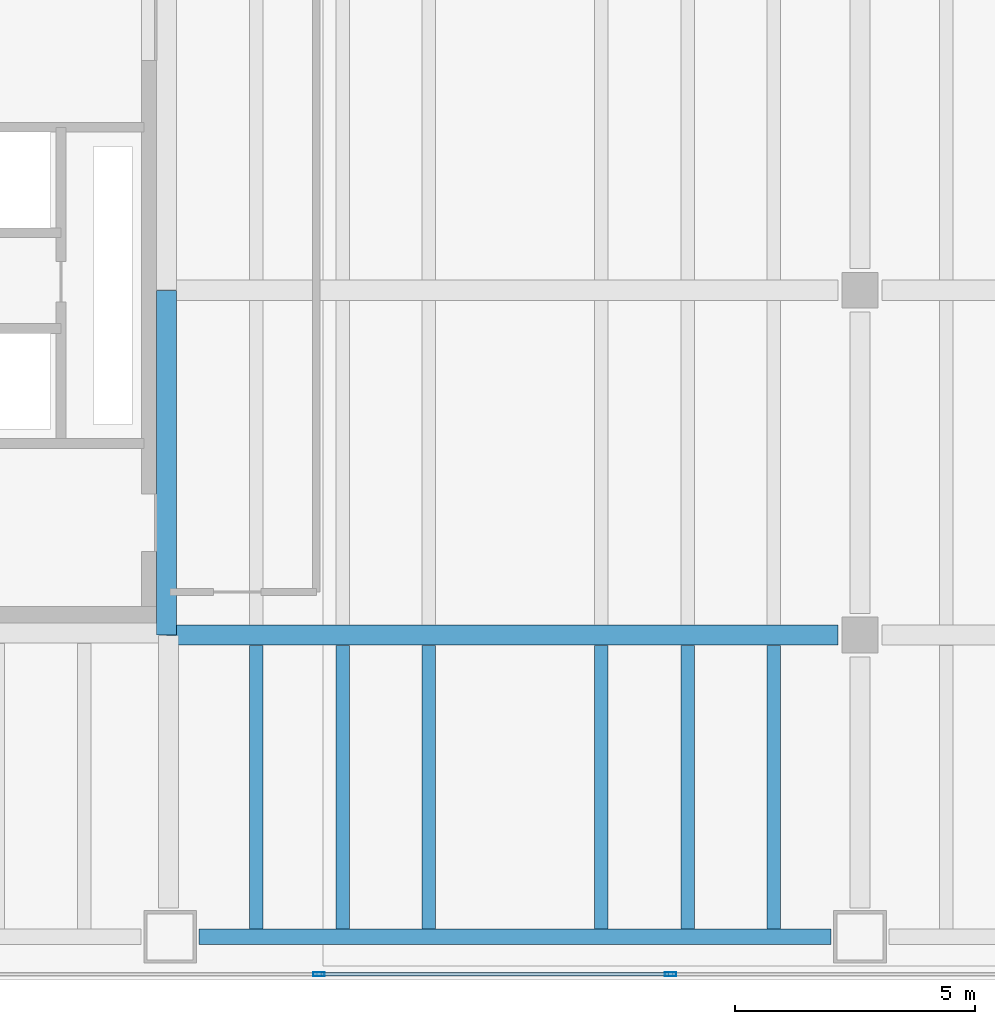
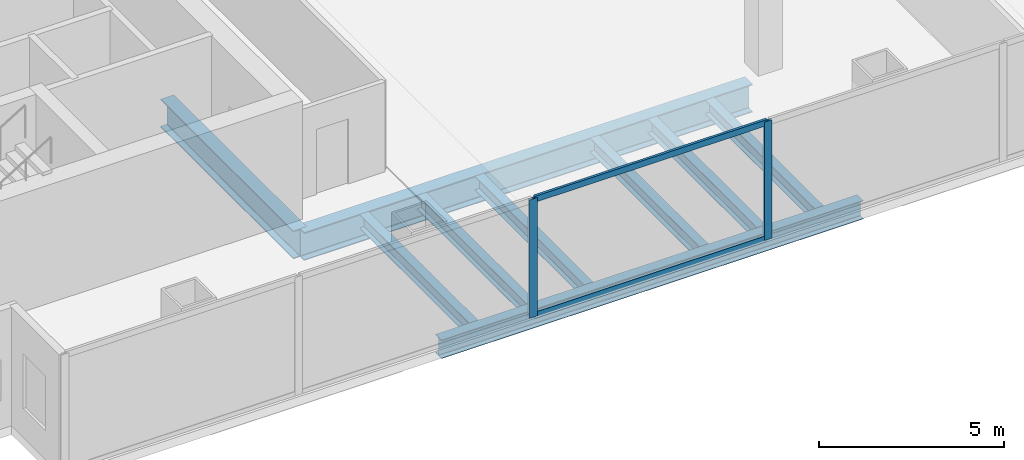
# One storey, part 3 of 28: 9 beams, 4 members, 1 element without a shape of its own.
"""IFC4 building model written with IfcOpenShell, lengths in metres."""

from ifc_helpers import new_model, si_unit, direction, frame, origin, origin_2d, place, context, subcontext, project, spatial, hollow_rectangle, i_section, extrude, material, material_profile, profile_set, type_object, element, aggregate, save


model = new_model("IFC4")

# Units and contexts
model_context = context("Model", 3, precision=1e-05, world=origin(), true_north=direction((0.0, 1.0)))
body_context = subcontext(model_context, "Body", "Model", "MODEL_VIEW")
ifc_project = project(units=[si_unit("LENGTHUNIT", "METRE"), si_unit("AREAUNIT", "SQUARE_METRE"), si_unit("VOLUMEUNIT", "CUBIC_METRE"), si_unit("PLANEANGLEUNIT", "RADIAN"), si_unit("MASSUNIT", "GRAM", prefix="KILO")], contexts=[model_context])

# Site, building, storey
site_placement = place(None, origin())
site = spatial("IfcSite", under=ifc_project, at=site_placement, CompositionType="ELEMENT")
building_placement = place(site_placement, origin())
building = spatial("IfcBuilding", under=site, at=building_placement, Name="Cobrela Telecom Tower", CompositionType="ELEMENT")
storey_placement = place(building_placement, frame((0.0, 0.0, 17.85009765625)))
storey = spatial("IfcBuildingStorey", under=building, at=storey_placement, Name="L04", CompositionType="ELEMENT", Elevation=17.85009765625)

# Beams
ifc_material_1 = material(Name="Steel ASTM A992 Grade 50", Category="steel")
ifc_material_profile_1 = material_profile(ifc_material_1, i_section(OverallWidth=0.4189453125, OverallDepth=0.927001953125, WebThickness=0.019287109375, FlangeThickness=0.031982421875, FilletRadius=0.02392578125, at=origin_2d()), Name="W36X231")
ifc_profile_set_1 = profile_set([ifc_material_profile_1], Name="Steel ASTM A992 Grade 50")
beam_type_1 = type_object("IfcBeamType", Name="BM-GIRD-02", PredefinedType="USERDEFINED", material=ifc_profile_set_1)
beam_1_placement = place(storey_placement, frame((14.324951171875, 7.199951171875, -0.753662109375), z_axis=(1.0, 0.0, 0.0), x_axis=(0.0, 1.0, 0.0)))
element("IfcBeam", 1, at=beam_1_placement, inside=storey, type_object=beam_type_1, Name="L04 Primary Girder X12", ObjectType="GIRDER", PredefinedType="USERDEFINED", context=body_context, shape_type="SweptSolid", body=[
    extrude(i_section(OverallWidth=0.4189453125, OverallDepth=0.927001953125, WebThickness=0.019287109375, FlangeThickness=0.031982421875, FilletRadius=0.02392578125, at=origin_2d()), origin(), (0.0, 0.0, 1.0), 14.02001953125),
])
beam_2_placement = place(storey_placement, frame((14.320068359375, 7.205078125, -0.753662109375), z_axis=(0.0, 1.0, 0.0), x_axis=(-1.0, 0.0, 0.0)))
element("IfcBeam", 2, at=beam_2_placement, inside=storey, type_object=beam_type_1, Name="L04 Primary Girder Y61", ObjectType="GIRDER", PredefinedType="USERDEFINED", context=body_context, shape_type="SweptSolid", body=[
    extrude(i_section(OverallWidth=0.4189453125, OverallDepth=0.927001953125, WebThickness=0.019287109375, FlangeThickness=0.031982421875, FilletRadius=0.02392578125, at=origin_2d()), origin(), (0.0, 0.0, 1.0), 7.18994140625),
])
ifc_material_profile_2 = material_profile(ifc_material_1, i_section(OverallWidth=0.281982421875, OverallDepth=0.467041015625, WebThickness=0.01220703125, FlangeThickness=0.01953125, FilletRadius=0.012939453125, at=origin_2d()), Name="W18X86")
ifc_profile_set_2 = profile_set([ifc_material_profile_2], Name="Steel ASTM A992 Grade 50")
beam_type_2 = type_object("IfcBeamType", Name="BM-JOIST-02", PredefinedType="JOIST", material=ifc_profile_set_2)
for number, where, z_axis, x_axis, name in (
    (3, (16.199951171875, 1.0673828125, -0.523681640625), (0.0, 1.0, 0.0), (-1.0, 0.0, 0.0), "L04 Secondary Composite Floor Beam J13"),
    (4, (18.0, 1.0673828125, -0.523681640625), (0.0, 1.0, 0.0), (-1.0, 0.0, 0.0), "L04 Secondary Composite Floor Beam J20"),
    (5, (19.800048828125, 1.0673828125, -0.523681640625), (0.0, 1.0, 0.0), (-1.0, 0.0, 0.0), "L04 Secondary Composite Floor Beam J27"),
    (6, (23.39990234375, 1.0673828125, -0.523681640625), (0.0, 1.0, 0.0), (-1.0, 0.0, 0.0), "L04 Secondary Composite Floor Beam J34"),
    (7, (25.199951171875, 1.0673828125, -0.523681640625), (0.0, 1.0, 0.0), (-1.0, 0.0, 0.0), "L04 Secondary Composite Floor Beam J40"),
    (8, (27.0, 1.0673828125, -0.523681640625), (0.0, 1.0, 0.0), (-1.0, 0.0, 0.0), "L04 Secondary Composite Floor Beam J45"),
):
    element("IfcBeam", number, at=place(storey_placement, frame(where, z_axis=z_axis, x_axis=x_axis)), inside=storey, type_object=beam_type_2, Name=name, PredefinedType="JOIST", context=body_context, shape_type="SweptSolid", body=[
        extrude(i_section(OverallWidth=0.281982421875, OverallDepth=0.467041015625, WebThickness=0.01220703125, FlangeThickness=0.01953125, FilletRadius=0.012939453125, at=origin_2d()), origin(), (0.0, 0.0, 1.0), 5.918212890625),
    ])
ifc_material_profile_3 = material_profile(ifc_material_1, i_section(OverallWidth=0.324951171875, OverallDepth=0.612060546875, WebThickness=0.0126953125, FlangeThickness=0.01904296875, FilletRadius=0.014892578125, at=origin_2d()), Name="W24X104")
ifc_profile_set_3 = profile_set([ifc_material_profile_3], Name="Steel ASTM A992 Grade 50")
beam_type_3 = type_object("IfcBeamType", Name="BM-SPAND-02", PredefinedType="SPANDREL", material=ifc_profile_set_3)
beam_3_placement = place(storey_placement, frame((15.0048828125, 0.89990234375, -0.59619140625), z_axis=(1.0, 0.0, 0.0), x_axis=(0.0, 1.0, 0.0)))
element("IfcBeam", 9, at=beam_3_placement, inside=storey, type_object=beam_type_3, Name="L04 Perimeter Spandrel X02", PredefinedType="SPANDREL", context=body_context, shape_type="SweptSolid", body=[
    extrude(i_section(OverallWidth=0.324951171875, OverallDepth=0.612060546875, WebThickness=0.0126953125, FlangeThickness=0.01904296875, FilletRadius=0.014892578125, at=origin_2d()), origin(), (0.0, 0.0, 1.0), 13.190185546875),
])

# Curtain wall, members
ifc_material_2 = material(Name="Anodized Bronze Aluminium 6063-T6", Category="aluminium")
curtain_wall_type = type_object("IfcCurtainWallType", Name="CW-SYS-CONC", PredefinedType="USERDEFINED", material=ifc_material_2)
curtain_wall_placement = place(storey_placement, origin())
curtain_wall = element("IfcCurtainWall", 10, at=curtain_wall_placement, inside=storey, type_object=curtain_wall_type, Name="L04 Unitised Bronze Curtain Wall 17", ObjectType="UNITISED CURTAIN WALL", PredefinedType="USERDEFINED")
ifc_material_profile_4 = material_profile(ifc_material_2, hollow_rectangle(XDim=0.080078125, YDim=0.239990234375, WallThickness=0.0048828125, at=origin_2d()), Name="ALU 80x240x5")
ifc_profile_set_4 = profile_set([ifc_material_profile_4], Name="Anodized Bronze Aluminium 6063-T6")
member_type_1 = type_object("IfcMemberType", Name="CW-SYS-CONC-MUL", PredefinedType="MULLION", material=ifc_profile_set_4)
member_1_placement = place(storey_placement, frame((24.845458984375, 0.1201171875, 0.0), z_axis=(0.0, 0.0, 1.0), x_axis=(0.0, -1.0, 0.0)))
member_1 = element("IfcMember", 11, at=member_1_placement, type_object=member_type_1, Name="CW-CONC mullion 9", PredefinedType="MULLION", context=body_context, shape_type="SweptSolid", body=[
    extrude(hollow_rectangle(XDim=0.080078125, YDim=0.239990234375, WallThickness=0.0048828125, at=origin_2d()), origin(), (0.0, 0.0, 1.0), 3.909912109375),
])
member_2_placement = place(storey_placement, frame((17.503662109375, 0.1201171875, 0.0), z_axis=(0.0, 0.0, 1.0), x_axis=(0.0, -1.0, 0.0)))
member_2 = element("IfcMember", 12, at=member_2_placement, type_object=member_type_1, Name="CW-CONC mullion 10", PredefinedType="MULLION", context=body_context, shape_type="SweptSolid", body=[
    extrude(hollow_rectangle(XDim=0.080078125, YDim=0.239990234375, WallThickness=0.0048828125, at=origin_2d()), origin(), (0.0, 0.0, 1.0), 3.909912109375),
])
ifc_material_profile_5 = material_profile(ifc_material_2, hollow_rectangle(XDim=0.080078125, YDim=0.199951171875, WallThickness=0.00390625, at=origin_2d()), Name="ALU 80x200x4")
ifc_profile_set_5 = profile_set([ifc_material_profile_5], Name="Anodized Bronze Aluminium 6063-T6")
member_type_2 = type_object("IfcMemberType", Name="CW-SYS-CONC-TRN", PredefinedType="USERDEFINED", material=ifc_profile_set_5)
member_3_placement = place(storey_placement, frame((24.805419921875, 0.1201171875, 0.039794921875), z_axis=(-1.0, 0.0, 0.0), x_axis=(0.0, -1.0, 0.0)))
member_3 = element("IfcMember", 13, at=member_3_placement, type_object=member_type_2, Name="CW-CONC transom 9.1", ObjectType="TRANSOM", PredefinedType="USERDEFINED", context=body_context, shape_type="SweptSolid", body=[
    extrude(hollow_rectangle(XDim=0.080078125, YDim=0.199951171875, WallThickness=0.00390625, at=origin_2d()), origin(), (0.0, 0.0, 1.0), 7.26171875),
])
member_4_placement = place(storey_placement, frame((24.805419921875, 0.1201171875, 3.869873046875), z_axis=(-1.0, 0.0, 0.0), x_axis=(0.0, -1.0, 0.0)))
member_4 = element("IfcMember", 14, at=member_4_placement, type_object=member_type_2, Name="CW-CONC transom 9.2", ObjectType="TRANSOM", PredefinedType="USERDEFINED", context=body_context, shape_type="SweptSolid", body=[
    extrude(hollow_rectangle(XDim=0.080078125, YDim=0.199951171875, WallThickness=0.00390625, at=origin_2d()), origin(), (0.0, 0.0, 1.0), 7.26171875),
])
aggregate(curtain_wall, [member_1, member_2, member_3, member_4])

save(model, "model.ifc")
